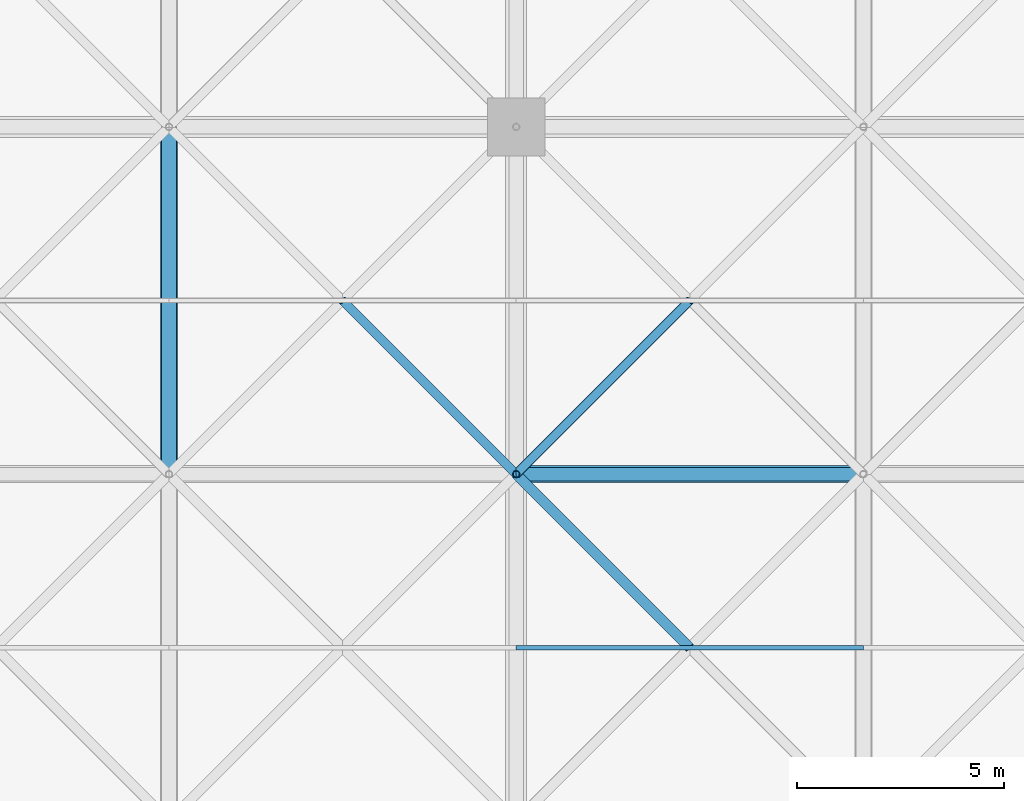
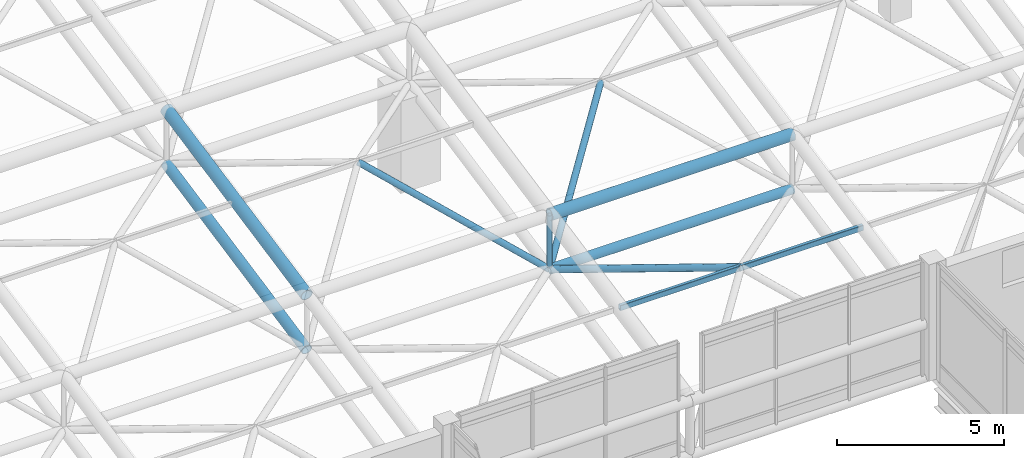
# One storey, part 14 of 81: 9 members.
"""IFC4 building model written with IfcOpenShell, lengths in metres."""

from ifc_helpers import new_model, si_unit, direction, frame, origin, origin_2d, place, context, subcontext, project, spatial, hollow_rectangle, hollow_circle, extrude, material, material_profile, profile_set, type_object, element, save


model = new_model("IFC4")

# Units and contexts
model_context = context("Model", 3, precision=1e-05, world=origin(), true_north=direction((0.0, 1.0)))
body_context = subcontext(model_context, "Body", "Model", "MODEL_VIEW")
ifc_project = project(units=[si_unit("LENGTHUNIT", "METRE"), si_unit("AREAUNIT", "SQUARE_METRE"), si_unit("VOLUMEUNIT", "CUBIC_METRE"), si_unit("PLANEANGLEUNIT", "RADIAN"), si_unit("MASSUNIT", "GRAM", prefix="KILO")], contexts=[model_context])

# Site, building, storey
site_placement = place(None, origin())
site = spatial("IfcSite", under=ifc_project, at=site_placement, CompositionType="ELEMENT")
building_placement = place(site_placement, origin())
building = spatial("IfcBuilding", under=site, at=building_placement, Name="Qawsi Khor Wholesale Market", CompositionType="ELEMENT")
storey_placement = place(building_placement, frame((0.0, 0.0, 16.199951171875)))
storey = spatial("IfcBuildingStorey", under=building, at=storey_placement, Name="L03", CompositionType="ELEMENT", Elevation=16.199951171875)

# Members
ifc_material = material(Name="Steel S355", Category="steel")
ifc_material_profile_1 = material_profile(ifc_material, hollow_circle(Radius=0.177734375, WallThickness=0.01611328125, at=origin_2d()), Name="CHS 355.6x16.0")
ifc_profile_set_1 = profile_set([ifc_material_profile_1], Name="Steel S355")
member_type_1 = type_object("IfcMemberType", Name="Space-Frame Bottom Chord CHS 355.6x16.0", PredefinedType="CHORD", material=ifc_profile_set_1)
member_1_placement = place(storey_placement, frame((50.39990234375, 50.39990234375, 1.670166015625), z_axis=(0.0, 0.98013111127, 0.198350711418), x_axis=(-1.0, 0.0, 0.0)))
element("IfcMember", 1, at=member_1_placement, inside=storey, type_object=member_type_1, Name="Space frame bottom chord Y WH (6,6)", PredefinedType="CHORD", context=body_context, shape_type="SweptSolid", body=[
    extrude(hollow_circle(Radius=0.177734375, WallThickness=0.01611328125, at=origin_2d()), origin(), (0.0, 0.0, 1.0), 8.5703125),
])
ifc_material_profile_2 = material_profile(ifc_material, hollow_circle(Radius=0.122314453125, WallThickness=0.012451171875, at=origin_2d()), Name="CHS 244.5x12.5")
ifc_profile_set_2 = profile_set([ifc_material_profile_2], Name="Steel S355")
member_type_2 = type_object("IfcMemberType", Name="Space-Frame Heavy Diagonal CHS 244.5x12.5", PredefinedType="POST", material=ifc_profile_set_2)
member_2_placement = place(storey_placement, frame((58.800048828125, 50.39990234375, 1.670166015625), z_axis=(0.694216714393, -0.694216714393, 0.190069216113), x_axis=(0.707106781187, 0.707106781187, 0.0)))
element("IfcMember", 2, at=member_2_placement, inside=storey, type_object=member_type_2, Name="Space frame diagonal WH (7,5)-4", PredefinedType="POST", context=body_context, shape_type="SweptSolid", body=[
    extrude(hollow_circle(Radius=0.122314453125, WallThickness=0.012451171875, at=origin_2d()), origin(), (0.0, 0.0, 1.0), 6.0498046875),
])
ifc_material_profile_3 = material_profile(ifc_material, hollow_rectangle(XDim=0.1201171875, YDim=0.199951171875, WallThickness=0.008056640625, InnerFilletRadius=0.008056640625, OuterFilletRadius=0.01611328125, at=origin_2d()), Name="RHS 200x120x8.0")
ifc_profile_set_3 = profile_set([ifc_material_profile_3], Name="Steel S355")
member_type_3 = type_object("IfcMemberType", Name="Space-Frame Heavy Purlin RHS 200x120x8.0", PredefinedType="PURLIN", material=ifc_profile_set_3)
member_3_placement = place(storey_placement, frame((58.800048828125, 46.199951171875, 2.820068359375), z_axis=(1.0, 0.0, 0.0), x_axis=(0.0, 1.0, 0.0)))
element("IfcMember", 3, at=member_3_placement, inside=storey, type_object=member_type_3, Name="Space frame purlin WH (7,5)", PredefinedType="PURLIN", context=body_context, shape_type="SweptSolid", body=[
    extrude(hollow_rectangle(XDim=0.1201171875, YDim=0.199951171875, WallThickness=0.008056640625, InnerFilletRadius=0.008056640625, OuterFilletRadius=0.01611328125, at=origin_2d()), origin(), (0.0, 0.0, 1.0), 8.39990234375),
])
ifc_material_profile_4 = material_profile(ifc_material, hollow_circle(Radius=0.109619140625, WallThickness=0.010009765625, at=origin_2d()), Name="CHS 219.1x10.0")
ifc_profile_set_4 = profile_set([ifc_material_profile_4], Name="Steel S355")
member_type_4 = type_object("IfcMemberType", Name="Space-Frame Inner Diagonal CHS 219.1x10.0", PredefinedType="RAFTER", material=ifc_profile_set_4)
for number, where, z_axis, x_axis, name in (
    (4, (58.800048828125, 50.39990234375, 1.670166015625), (-0.637506899628, 0.637543957519, 0.432576762155), (-0.707127332136, -0.70708622964, 0.0), "Space frame diagonal WH (6,6)-2"),
    (5, (58.800048828125, 50.39990234375, 1.670166015625), (0.637506899628, 0.637543957519, 0.432576762155), (-0.707127332136, 0.70708622964, 0.0), "Space frame diagonal WH (7,6)-1"),
):
    element("IfcMember", number, at=place(storey_placement, frame(where, z_axis=z_axis, x_axis=x_axis)), inside=storey, type_object=member_type_4, Name=name, PredefinedType="RAFTER", context=body_context, shape_type="SweptSolid", body=[
        extrude(hollow_circle(Radius=0.109619140625, WallThickness=0.010009765625, at=origin_2d()), origin(), (0.0, 0.0, 1.0), 6.588134765625),
    ])
ifc_material_profile_5 = material_profile(ifc_material, hollow_circle(Radius=0.161865234375, WallThickness=0.01611328125, at=origin_2d()), Name="CHS 323.9x16.0")
ifc_profile_set_5 = profile_set([ifc_material_profile_5], Name="Steel S355")
member_type_5 = type_object("IfcMemberType", Name="Space-Frame Secondary Chord CHS 323.9x16.0", PredefinedType="CHORD", material=ifc_profile_set_5)
member_4_placement = place(storey_placement, frame((58.800048828125, 50.39990234375, 1.670166015625), z_axis=(1.0, 0.0, 0.0), x_axis=(0.0, 1.0, 0.0)))
element("IfcMember", 6, at=member_4_placement, inside=storey, type_object=member_type_5, Name="Space frame bottom chord X WH (7,6)", PredefinedType="CHORD", context=body_context, shape_type="SweptSolid", body=[
    extrude(hollow_circle(Radius=0.161865234375, WallThickness=0.01611328125, at=origin_2d()), origin(), (0.0, 0.0, 1.0), 8.39990234375),
])
ifc_material_profile_6 = material_profile(ifc_material, hollow_circle(Radius=0.203125, WallThickness=0.02001953125, at=origin_2d()), Name="CHS 406.4x20.0")
ifc_profile_set_6 = profile_set([ifc_material_profile_6], Name="Steel S355")
member_type_6 = type_object("IfcMemberType", Name="Space-Frame Top Chord CHS 406.4x20.0", PredefinedType="CHORD", material=ifc_profile_set_6)
member_5_placement = place(storey_placement, frame((50.39990234375, 50.39990234375, 3.670166015625), z_axis=(0.0, 0.98013111127, 0.198350711418), x_axis=(-1.0, 0.0, 0.0)))
element("IfcMember", 7, at=member_5_placement, inside=storey, type_object=member_type_6, Name="Space frame top chord Y WH (6,6)", PredefinedType="CHORD", context=body_context, shape_type="SweptSolid", body=[
    extrude(hollow_circle(Radius=0.203125, WallThickness=0.02001953125, at=origin_2d()), origin(), (0.0, 0.0, 1.0), 8.5703125),
])
member_6_placement = place(storey_placement, frame((58.800048828125, 50.39990234375, 3.670166015625), z_axis=(1.0, 0.0, 0.0), x_axis=(0.0, 1.0, 0.0)))
element("IfcMember", 8, at=member_6_placement, inside=storey, type_object=member_type_6, Name="Space frame top chord X WH (7,6)", PredefinedType="CHORD", context=body_context, shape_type="SweptSolid", body=[
    extrude(hollow_circle(Radius=0.203125, WallThickness=0.02001953125, at=origin_2d()), origin(), (0.0, 0.0, 1.0), 8.39990234375),
])
ifc_material_profile_7 = material_profile(ifc_material, hollow_circle(Radius=0.084228515625, WallThickness=0.008056640625, at=origin_2d()), Name="CHS 168.3x8.0")
ifc_profile_set_7 = profile_set([ifc_material_profile_7], Name="Steel S355")
member_type_7 = type_object("IfcMemberType", Name="Space-Frame Vertical Strut CHS 168.3x8.0", PredefinedType="STRUT", material=ifc_profile_set_7)
member_7_placement = place(storey_placement, frame((58.800048828125, 50.39990234375, 1.670166015625), z_axis=(0.0, 0.0, 1.0), x_axis=(1.0, 0.0, 0.0)))
element("IfcMember", 9, at=member_7_placement, inside=storey, type_object=member_type_7, Name="Space frame post WH (7,6)", PredefinedType="STRUT", context=body_context, shape_type="SweptSolid", body=[
    extrude(hollow_circle(Radius=0.084228515625, WallThickness=0.008056640625, at=origin_2d()), origin(), (0.0, 0.0, 1.0), 2.0),
])

save(model, "model.ifc")
